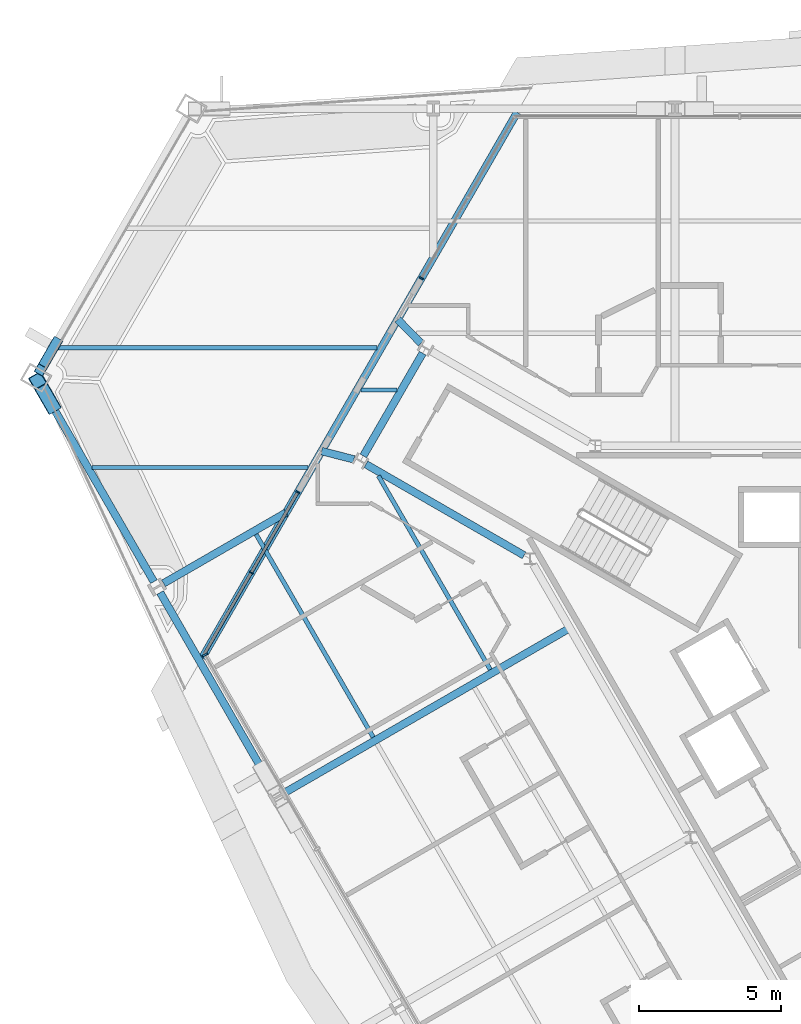
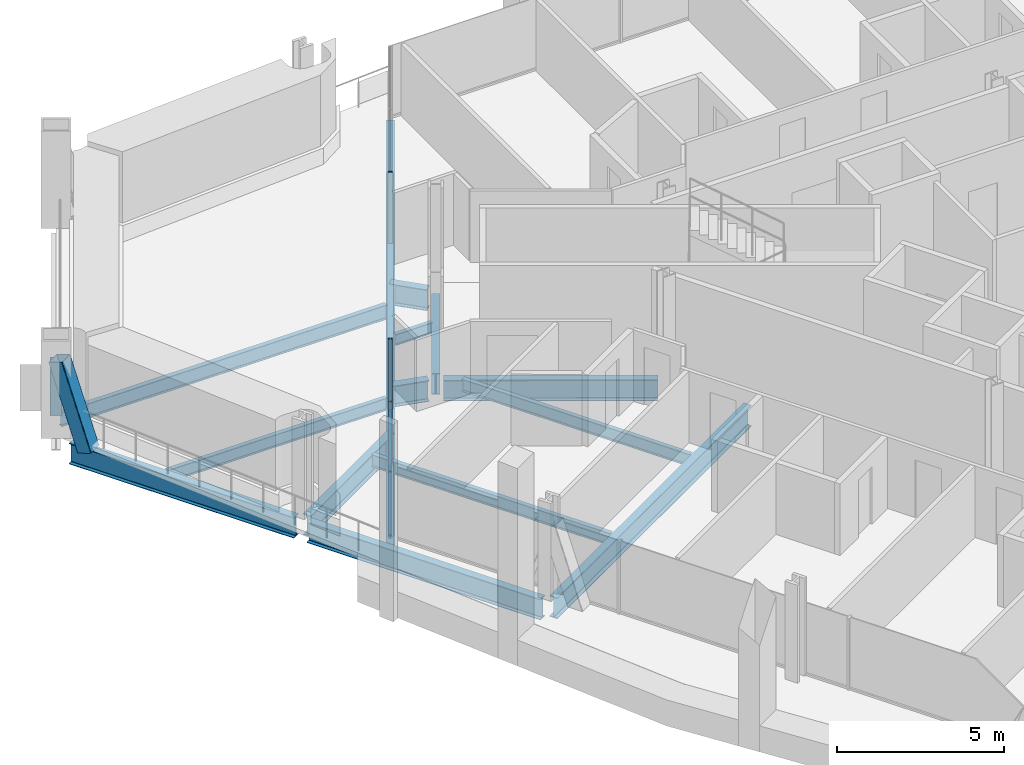
# One storey, part 6 of 19: 14 beams, 8 members, 3 elements without a shape of their own.
"""IFC4 building model written with IfcOpenShell, lengths in metres."""

from ifc_helpers import new_model, si_unit, direction, frame, origin, origin_2d, place, context, subcontext, project, spatial, rectangle, hollow_rectangle, i_section, extrude, material, material_profile, profile_set, type_object, element, aggregate, save


model = new_model("IFC4")

# Units and contexts
model_context = context("Model", 3, precision=1e-05, world=origin(), true_north=direction((0.0, 1.0)))
body_context = subcontext(model_context, "Body", "Model", "MODEL_VIEW")
ifc_project = project(units=[si_unit("LENGTHUNIT", "METRE"), si_unit("AREAUNIT", "SQUARE_METRE"), si_unit("VOLUMEUNIT", "CUBIC_METRE"), si_unit("PLANEANGLEUNIT", "RADIAN"), si_unit("MASSUNIT", "GRAM", prefix="KILO")], contexts=[model_context])

# Site, building, storey
site_placement = place(None, origin())
site = spatial("IfcSite", under=ifc_project, at=site_placement, CompositionType="ELEMENT")
building_placement = place(site_placement, origin())
building = spatial("IfcBuilding", under=site, at=building_placement, Name="Verrane Prism Tower", CompositionType="ELEMENT")
storey_placement = place(building_placement, frame((0.0, 0.0, 58.39990234375)))
storey = spatial("IfcBuildingStorey", under=building, at=storey_placement, Name="L12", CompositionType="ELEMENT", Elevation=58.39990234375)

# Member
ifc_material_1 = material(Name="Steel A500 Grade C", Category="steel")
ifc_material_profile_1 = material_profile(ifc_material_1, hollow_rectangle(XDim=0.355712890625, YDim=0.355712890625, WallThickness=0.0126953125, InnerFilletRadius=0.00634765625, OuterFilletRadius=0.01904296875, at=origin_2d()), Name="HSS14x14x1/2")
ifc_profile_set_1 = profile_set([ifc_material_profile_1], Name="Steel A500 Grade C")
member_type_1 = type_object("IfcMemberType", Name="Chamfer brace HSS14x14x1/2", PredefinedType="BRACE", material=ifc_profile_set_1)
member_1_placement = place(storey_placement, frame((-30.303466796875, 12.83203125, -0.2451171875), z_axis=(-0.199058141848, -0.345034112537, 0.917238964147), x_axis=(0.866185586049, -0.49972245349, 0.0)))
element("IfcMember", 1, at=member_1_placement, inside=storey, type_object=member_type_1, Name="Chamfer brace NW0 L12", PredefinedType="BRACE", context=body_context, shape_type="SweptSolid", body=[
    extrude(hollow_rectangle(XDim=0.355712890625, YDim=0.355712890625, WallThickness=0.0126953125, InnerFilletRadius=0.00634765625, OuterFilletRadius=0.01904296875, at=origin_2d()), origin(), (0.0, 0.0, 1.0), 2.79638671875),
])

# Beams
ifc_material_2 = material(Name="Steel A992", Category="steel")
ifc_material_profile_2 = material_profile(ifc_material_2, i_section(OverallWidth=0.2666015625, OverallDepth=0.7568359375, WebThickness=0.013916015625, FlangeThickness=0.019287109375, FilletRadius=0.0166015625, at=origin_2d()), Name="W30x108")
ifc_profile_set_2 = profile_set([ifc_material_profile_2], Name="Steel A992")
beam_type_1 = type_object("IfcBeamType", Name="Core ring girder W30x108", PredefinedType="BEAM", material=ifc_profile_set_2)
beam_1_placement = place(storey_placement, frame((-17.40478515625, 12.45849609375, -0.62841796875), z_axis=(-0.500349643494, -0.865823442888, 0.0), x_axis=(0.865823442888, -0.500349643494, 0.0)))
element("IfcBeam", 2, at=beam_1_placement, inside=storey, type_object=beam_type_1, Name="Core ring girder L12", PredefinedType="BEAM", context=body_context, shape_type="SweptSolid", body=[
    extrude(i_section(OverallWidth=0.2666015625, OverallDepth=0.7568359375, WebThickness=0.013916015625, FlangeThickness=0.019287109375, FilletRadius=0.0166015625, at=origin_2d()), origin(), (0.0, 0.0, 1.0), 4.177734375),
])
beam_2_placement = place(storey_placement, frame((-19.403076171875, 8.54638671875, -0.62841796875), z_axis=(0.86646365882, -0.499240150574, 0.0), x_axis=(0.499240150574, 0.86646365882, 0.0)))
element("IfcBeam", 3, at=beam_2_placement, inside=storey, type_object=beam_type_1, Name="Core ring girder L12", PredefinedType="BEAM", context=body_context, shape_type="SweptSolid", body=[
    extrude(i_section(OverallWidth=0.2666015625, OverallDepth=0.7568359375, WebThickness=0.013916015625, FlangeThickness=0.019287109375, FilletRadius=0.0166015625, at=origin_2d()), origin(), (0.0, 0.0, 1.0), 6.42822265625),
])
ifc_material_3 = material(Name="Steel A992", Category="steel")
ifc_material_profile_3 = material_profile(ifc_material_3, i_section(OverallWidth=0.2666015625, OverallDepth=0.76708984375, WebThickness=0.014892578125, FlangeThickness=0.023681640625, FilletRadius=0.0166015625, at=origin_2d()), Name="W30x124")
ifc_profile_set_3 = profile_set([ifc_material_profile_3], Name="Steel A992")
beam_type_2 = type_object("IfcBeamType", Name="Corner girder W30x124", PredefinedType="BEAM", material=ifc_profile_set_3)
beam_3_placement = place(storey_placement, frame((-18.286376953125, 13.64794921875, -0.603515625), z_axis=(0.69937267195, -0.71475720754, 0.0), x_axis=(0.71475720754, 0.69937267195, 0.0)))
element("IfcBeam", 4, at=beam_3_placement, inside=storey, type_object=beam_type_2, Name="Corner girder L12", PredefinedType="BEAM", context=body_context, shape_type="SweptSolid", body=[
    extrude(i_section(OverallWidth=0.2666015625, OverallDepth=0.76708984375, WebThickness=0.014892578125, FlangeThickness=0.023681640625, FilletRadius=0.0166015625, at=origin_2d()), origin(), (0.0, 0.0, 1.0), 1.17431640625),
])
beam_4_placement = place(storey_placement, frame((-20.964111328125, 9.010009765625, -0.603515625), z_axis=(0.968642020778, -0.248460531238, 0.0), x_axis=(0.248460531238, 0.968642020778, 0.0)))
element("IfcBeam", 5, at=beam_4_placement, inside=storey, type_object=beam_type_2, Name="Corner girder L12", PredefinedType="BEAM", context=body_context, shape_type="SweptSolid", body=[
    extrude(i_section(OverallWidth=0.2666015625, OverallDepth=0.76708984375, WebThickness=0.014892578125, FlangeThickness=0.023681640625, FilletRadius=0.0166015625, at=origin_2d()), origin(), (0.0, 0.0, 1.0), 1.17236328125),
])

# Member
ifc_material_4 = material(Name="Steel A1085 Grade A", Category="steel")
ifc_material_profile_4 = material_profile(ifc_material_4, hollow_rectangle(XDim=0.508056640625, YDim=0.508056640625, WallThickness=0.025390625, InnerFilletRadius=0.0126953125, OuterFilletRadius=0.0380859375, at=origin_2d()), Name="HSS20x20x1")
ifc_profile_set_4 = profile_set([ifc_material_profile_4], Name="Steel A1085 Grade A")
member_type_2 = type_object("IfcMemberType", Name="Facade brace HSS20x20x1", PredefinedType="BRACE", material=ifc_profile_set_4)
member_2_placement = place(storey_placement, frame((-30.46142578125, 10.623779296875, -0.242431640625), z_axis=(-0.160179167035, 0.277035021348, 0.947414498197), x_axis=(-0.865710057585, -0.5005457983, 0.0)))
element("IfcMember", 6, at=member_2_placement, inside=storey, type_object=member_type_2, Name="Facade brace SW0 L12", PredefinedType="BRACE", context=body_context, shape_type="SweptSolid", body=[
    extrude(hollow_rectangle(XDim=0.508056640625, YDim=0.508056640625, WallThickness=0.025390625, InnerFilletRadius=0.0126953125, OuterFilletRadius=0.0380859375, at=origin_2d()), origin(), (0.0, 0.0, 1.0), 3.127685546875),
])

# Beams
ifc_material_5 = material(Name="Steel A992", Category="steel")
ifc_material_profile_5 = material_profile(ifc_material_5, i_section(OverallWidth=0.140380859375, OverallDepth=0.40380859375, WebThickness=0.007080078125, FlangeThickness=0.01123046875, FilletRadius=0.01025390625, at=origin_2d()), Name="W16x31")
ifc_profile_set_5 = profile_set([ifc_material_profile_5], Name="Steel A992")
beam_type_3 = type_object("IfcBeamType", Name="Floor beam W16x31", PredefinedType="BEAM", material=ifc_profile_set_5)
beam_5_placement = place(storey_placement, frame((-19.571533203125, 11.155029296875, -0.36181640625), z_axis=(1.0, 0.0, 0.0), x_axis=(0.0, 1.0, 0.0)))
element("IfcBeam", 7, at=beam_5_placement, inside=storey, type_object=beam_type_3, Name="Floor beam L12", PredefinedType="BEAM", context=body_context, shape_type="SweptSolid", body=[
    extrude(i_section(OverallWidth=0.140380859375, OverallDepth=0.40380859375, WebThickness=0.007080078125, FlangeThickness=0.01123046875, FilletRadius=0.01025390625, at=origin_2d()), origin(), (0.0, 0.0, 1.0), 1.259033203125),
])
ifc_material_6 = material(Name="Steel A992", Category="steel")
ifc_material_profile_6 = material_profile(ifc_material_6, i_section(OverallWidth=0.15234375, OverallDepth=0.449462890625, WebThickness=0.007568359375, FlangeThickness=0.0107421875, FilletRadius=0.01025390625, at=origin_2d()), Name="W18x35")
ifc_profile_set_6 = profile_set([ifc_material_profile_6], Name="Steel A992")
beam_type_4 = type_object("IfcBeamType", Name="Floor beam W18x35", PredefinedType="BEAM", material=ifc_profile_set_6)
beam_6_placement = place(storey_placement, frame((-29.040771484375, 8.4326171875, -0.384765625), z_axis=(1.0, 0.0, 0.0), x_axis=(0.0, 1.0, 0.0)))
element("IfcBeam", 8, at=beam_6_placement, inside=storey, type_object=beam_type_4, Name="Floor beam L12", PredefinedType="BEAM", context=body_context, shape_type="SweptSolid", body=[
    extrude(i_section(OverallWidth=0.15234375, OverallDepth=0.449462890625, WebThickness=0.007568359375, FlangeThickness=0.0107421875, FilletRadius=0.01025390625, at=origin_2d()), origin(), (0.0, 0.0, 1.0), 7.593994140625),
])
beam_7_placement = place(storey_placement, frame((-15.02392578125, 1.315673828125, -0.384765625), z_axis=(-0.499991571599, 0.866030269869, 0.0), x_axis=(-0.866030269869, -0.499991571599, 0.0)))
element("IfcBeam", 9, at=beam_7_placement, inside=storey, type_object=beam_type_4, Name="Floor beam L12", PredefinedType="BEAM", context=body_context, shape_type="SweptSolid", body=[
    extrude(i_section(OverallWidth=0.15234375, OverallDepth=0.449462890625, WebThickness=0.007568359375, FlangeThickness=0.0107421875, FilletRadius=0.01025390625, at=origin_2d()), origin(), (0.0, 0.0, 1.0), 7.879150390625),
])
beam_8_placement = place(storey_placement, frame((-19.146728515625, -1.064453125, -0.384765625), z_axis=(-0.500005256109, 0.866022369147, 0.0), x_axis=(-0.866022369147, -0.500005256109, 0.0)))
element("IfcBeam", 10, at=beam_8_placement, inside=storey, type_object=beam_type_4, Name="Floor beam L12", PredefinedType="BEAM", context=body_context, shape_type="SweptSolid", body=[
    extrude(i_section(OverallWidth=0.15234375, OverallDepth=0.449462890625, WebThickness=0.007568359375, FlangeThickness=0.0107421875, FilletRadius=0.01025390625, at=origin_2d()), origin(), (0.0, 0.0, 1.0), 8.2451171875),
])
ifc_material_7 = material(Name="Steel A992", Category="steel")
ifc_material_profile_7 = material_profile(ifc_material_7, i_section(OverallWidth=0.1650390625, OverallDepth=0.52587890625, WebThickness=0.0087890625, FlangeThickness=0.011474609375, FilletRadius=0.0126953125, at=origin_2d()), Name="W21x44")
ifc_profile_set_7 = profile_set([ifc_material_profile_7], Name="Steel A992")
beam_type_5 = type_object("IfcBeamType", Name="Floor beam W21x44", PredefinedType="BEAM", material=ifc_profile_set_7)
beam_9_placement = place(storey_placement, frame((-30.257080078125, 12.64501953125, -0.4228515625), z_axis=(1.0, 0.0, 0.0), x_axis=(0.0, 1.0, 0.0)))
element("IfcBeam", 11, at=beam_9_placement, inside=storey, type_object=beam_type_5, Name="Floor beam L12", PredefinedType="BEAM", context=body_context, shape_type="SweptSolid", body=[
    extrude(i_section(OverallWidth=0.1650390625, OverallDepth=0.52587890625, WebThickness=0.0087890625, FlangeThickness=0.011474609375, FilletRadius=0.0126953125, at=origin_2d()), origin(), (0.0, 0.0, 1.0), 11.234619140625),
])

# Curtain wall, member
ifc_material_8 = material(Name="Aluminium framed insulated glazing", Category="aluminium")
curtain_wall_type_1 = type_object("IfcCurtainWallType", Name="Curtain wall CW-C 4200 module", PredefinedType="NOTDEFINED", material=ifc_material_8)
curtain_wall_1_placement = place(storey_placement, origin())
curtain_wall_1 = element("IfcCurtainWall", 12, at=curtain_wall_1_placement, inside=storey, type_object=curtain_wall_type_1, Name="Glazed curtain wall garden cut line L12 1", PredefinedType="NOTDEFINED")
ifc_material_9 = material(Name="Aluminium alloy 6063-T6", Category="aluminium")
ifc_material_profile_8 = material_profile(ifc_material_9, rectangle(XDim=0.139892578125, YDim=0.050048828125, at=origin_2d()), Name="Mullion 50x140 aluminium")
ifc_profile_set_8 = profile_set([ifc_material_profile_8], Name="Aluminium alloy 6063-T6")
member_type_3 = type_object("IfcMemberType", Name="Mullion 50x140 aluminium", PredefinedType="MULLION", material=ifc_profile_set_8)
member_3_placement = place(storey_placement, frame((-17.447021484375, 15.101806640625, 0.0), z_axis=(0.0, 0.0, 1.0), x_axis=(0.866024724318, -0.500001176868, 0.0)))
member_3 = element("IfcMember", 13, at=member_3_placement, type_object=member_type_3, Name="CW12.3.1 mullion 3", PredefinedType="MULLION", context=body_context, shape_type="SweptSolid", body=[
    extrude(rectangle(XDim=0.139892578125, YDim=0.050048828125, at=origin_2d()), origin(), (0.0, 0.0, 1.0), 2.613037109375),
])
aggregate(curtain_wall_1, [member_3])

# Curtain wall, members
curtain_wall_2_placement = place(storey_placement, origin())
curtain_wall_2 = element("IfcCurtainWall", 14, at=curtain_wall_2_placement, inside=storey, type_object=curtain_wall_type_1, Name="Glazed curtain wall garden cut line L12 2", PredefinedType="NOTDEFINED")
member_4_placement = place(storey_placement, frame((-21.802001953125, 7.558837890625, 0.0), z_axis=(0.0, 0.0, 1.0), x_axis=(0.866024724318, -0.500001176868, 0.0)))
member_4 = element("IfcMember", 15, at=member_4_placement, type_object=member_type_3, Name="CW12.3.2 mullion 1", PredefinedType="MULLION", context=body_context, shape_type="SweptSolid", body=[
    extrude(rectangle(XDim=0.139892578125, YDim=0.050048828125, at=origin_2d()), origin(), (0.0, 0.0, 1.0), 2.613037109375),
])
member_5_placement = place(storey_placement, frame((-23.43798828125, 4.724853515625, 0.0), z_axis=(0.0, 0.0, 1.0), x_axis=(0.866024724318, -0.500001176868, 0.0)))
member_5 = element("IfcMember", 16, at=member_5_placement, type_object=member_type_3, Name="CW12.3.2 mullion 2", PredefinedType="MULLION", context=body_context, shape_type="SweptSolid", body=[
    extrude(rectangle(XDim=0.139892578125, YDim=0.050048828125, at=origin_2d()), origin(), (0.0, 0.0, 1.0), 2.613037109375),
])

# Curtain wall, member
ifc_material_10 = material(Name="Aluminium framed insulated glazing", Category="aluminium")
curtain_wall_type_2 = type_object("IfcCurtainWallType", Name="Curtain wall CW-A 8400 module", PredefinedType="NOTDEFINED", material=ifc_material_10)
curtain_wall_3_placement = place(storey_placement, origin())
curtain_wall_3 = element("IfcCurtainWall", 17, at=curtain_wall_3_placement, inside=storey, type_object=curtain_wall_type_2, Name="Glazed curtain wall south-west face L12", PredefinedType="NOTDEFINED")
ifc_material_11 = material(Name="Aluminium alloy 6063-T6", Category="aluminium")
ifc_material_profile_9 = material_profile(ifc_material_11, rectangle(XDim=0.199951171875, YDim=0.070068359375, at=origin_2d()), Name="Mullion 70x200 aluminium")
ifc_profile_set_9 = profile_set([ifc_material_profile_9], Name="Aluminium alloy 6063-T6")
member_type_4 = type_object("IfcMemberType", Name="Mullion 70x200 aluminium", PredefinedType="MULLION", material=ifc_profile_set_9)
member_6_placement = place(storey_placement, frame((-25.069091796875, 1.839111328125, 0.0), z_axis=(0.0, 0.0, 1.0), x_axis=(0.866025602176, 0.499999656376, 0.0)))
member_6 = element("IfcMember", 18, at=member_6_placement, type_object=member_type_4, Name="CW12.4 mullion 1", PredefinedType="MULLION", context=body_context, shape_type="SweptSolid", body=[
    extrude(rectangle(XDim=0.199951171875, YDim=0.070068359375, at=origin_2d()), origin(), (0.0, 0.0, 1.0), 2.613037109375),
])
aggregate(curtain_wall_3, [member_6])

# Beams
ifc_material_12 = material(Name="Steel A992", Category="steel")
ifc_material_profile_10 = material_profile(ifc_material_12, i_section(OverallWidth=0.2666015625, OverallDepth=0.76708984375, WebThickness=0.014892578125, FlangeThickness=0.023681640625, FilletRadius=0.0166015625, at=origin_2d()), Name="W30x124")
ifc_profile_set_10 = profile_set([ifc_material_profile_10], Name="Steel A992")
beam_type_6 = type_object("IfcBeamType", Name="Radial girder W30x124", PredefinedType="BEAM", material=ifc_profile_set_10)
beam_10_placement = place(storey_placement, frame((-26.530029296875, 4.352783203125, -0.603515625), z_axis=(0.866030566664, 0.499991057524, 0.0), x_axis=(-0.499991057524, 0.866030566664, 0.0)))
element("IfcBeam", 19, at=beam_10_placement, inside=storey, type_object=beam_type_6, Name="Radial girder L12", PredefinedType="BEAM", context=body_context, shape_type="SweptSolid", body=[
    extrude(i_section(OverallWidth=0.2666015625, OverallDepth=0.76708984375, WebThickness=0.014892578125, FlangeThickness=0.023681640625, FilletRadius=0.0166015625, at=origin_2d()), origin(), (0.0, 0.0, 1.0), 4.98291015625),
])
beam_11_placement = place(storey_placement, frame((-22.280029296875, -3.02734375, -0.603515625), z_axis=(0.866023488761, 0.500003316903, 0.0), x_axis=(-0.500003316903, 0.866023488761, 0.0)))
element("IfcBeam", 20, at=beam_11_placement, inside=storey, type_object=beam_type_6, Name="Radial girder L12", PredefinedType="BEAM", context=body_context, shape_type="SweptSolid", body=[
    extrude(i_section(OverallWidth=0.2666015625, OverallDepth=0.76708984375, WebThickness=0.014892578125, FlangeThickness=0.023681640625, FilletRadius=0.0166015625, at=origin_2d()), origin(), (0.0, 0.0, 1.0), 11.61279296875),
])
ifc_material_13 = material(Name="Steel A992", Category="steel")
ifc_material_profile_11 = material_profile(ifc_material_13, i_section(OverallWidth=0.2666015625, OverallDepth=0.7568359375, WebThickness=0.013916015625, FlangeThickness=0.019287109375, FilletRadius=0.0166015625, at=origin_2d()), Name="W30x108")
ifc_profile_set_11 = profile_set([ifc_material_profile_11], Name="Steel A992")
beam_type_7 = type_object("IfcBeamType", Name="Slab edge girder W30x108", PredefinedType="BEAM", material=ifc_profile_set_11)
beam_12_placement = place(storey_placement, frame((-25.170654296875, 1.72412109375, -0.598388671875), z_axis=(0.499999982802, 0.866025413713, 0.0), x_axis=(-0.866025413713, 0.499999982802, 0.0)))
element("IfcBeam", 21, at=beam_12_placement, inside=storey, type_object=beam_type_7, Name="Slab edge girder L12", PredefinedType="BEAM", context=body_context, shape_type="SweptSolid", body=[
    extrude(i_section(OverallWidth=0.2666015625, OverallDepth=0.7568359375, WebThickness=0.013916015625, FlangeThickness=0.019287109375, FilletRadius=0.0166015625, at=origin_2d()), origin(), (0.0, 0.0, 1.0), 22.1845703125),
])
ifc_material_14 = material(Name="Steel A992", Category="steel")
ifc_material_profile_12 = material_profile(ifc_material_14, i_section(OverallWidth=0.2666015625, OverallDepth=0.7568359375, WebThickness=0.013916015625, FlangeThickness=0.019287109375, FilletRadius=0.0166015625, at=origin_2d()), Name="W30x108")
ifc_profile_set_12 = profile_set([ifc_material_profile_12], Name="Steel A992")
beam_type_8 = type_object("IfcBeamType", Name="Spandrel beam W30x108", PredefinedType="SPANDREL", material=ifc_profile_set_12)
beam_13_placement = place(storey_placement, frame((-30.760009765625, 11.140380859375, -0.538330078125), z_axis=(0.500425695968, -0.865779488562, 0.0), x_axis=(0.865779488562, 0.500425695968, 0.0)))
element("IfcBeam", 22, at=beam_13_placement, inside=storey, type_object=beam_type_8, Name="Spandrel beam L12", PredefinedType="SPANDREL", context=body_context, shape_type="SweptSolid", body=[
    extrude(i_section(OverallWidth=0.2666015625, OverallDepth=0.7568359375, WebThickness=0.013916015625, FlangeThickness=0.019287109375, FilletRadius=0.0166015625, at=origin_2d()), origin(), (0.0, 0.0, 1.0), 7.772216796875),
])
beam_14_placement = place(storey_placement, frame((-26.649658203125, 4.028564453125, -0.538330078125), z_axis=(0.499027753089, -0.866586003607, 0.0), x_axis=(0.866586003607, 0.499027753089, 0.0)))
element("IfcBeam", 23, at=beam_14_placement, inside=storey, type_object=beam_type_8, Name="Spandrel beam L12", PredefinedType="SPANDREL", context=body_context, shape_type="SweptSolid", body=[
    extrude(i_section(OverallWidth=0.2666015625, OverallDepth=0.7568359375, WebThickness=0.013916015625, FlangeThickness=0.019287109375, FilletRadius=0.0166015625, at=origin_2d()), origin(), (0.0, 0.0, 1.0), 8.07421875),
])

# Member
ifc_material_15 = material(Name="Aluminium alloy 6063-T6", Category="aluminium")
ifc_material_profile_13 = material_profile(ifc_material_15, rectangle(XDim=0.10009765625, YDim=0.050048828125, at=origin_2d()), Name="Transom 50x100 aluminium")
ifc_profile_set_13 = profile_set([ifc_material_profile_13], Name="Aluminium alloy 6063-T6")
member_type_5 = type_object("IfcMemberType", Name="Transom 50x100 aluminium", PredefinedType="USERDEFINED", material=ifc_profile_set_13)
member_7_placement = place(storey_placement, frame((-21.814453125, 7.537109375, 0.025146484375), z_axis=(-0.499993545862, -0.866029130051, 0.0), x_axis=(0.866029130051, -0.499993545862, 0.0)))
member_7 = element("IfcMember", 24, at=member_7_placement, type_object=member_type_5, Name="CW12.3.2 transom 1", ObjectType="TRANSOM", PredefinedType="USERDEFINED", context=body_context, shape_type="SweptSolid", body=[
    extrude(rectangle(XDim=0.10009765625, YDim=0.050048828125, at=origin_2d()), origin(), (0.0, 0.0, 1.0), 3.22216796875),
])

member_8_placement = place(storey_placement, frame((-23.45068359375, 4.703369140625, 0.025146484375), z_axis=(-0.499950649966, -0.866053894165, 0.0), x_axis=(0.866053894165, -0.499950649966, 0.0)))
member_8 = element("IfcMember", 25, at=member_8_placement, type_object=member_type_5, Name="CW12.3.2 transom 2", ObjectType="TRANSOM", PredefinedType="USERDEFINED", context=body_context, shape_type="SweptSolid", body=[
    extrude(rectangle(XDim=0.10009765625, YDim=0.050048828125, at=origin_2d()), origin(), (0.0, 0.0, 1.0), 3.272216796875),
])

aggregate(curtain_wall_2, [member_4, member_5, member_7, member_8])

save(model, "model.ifc")
